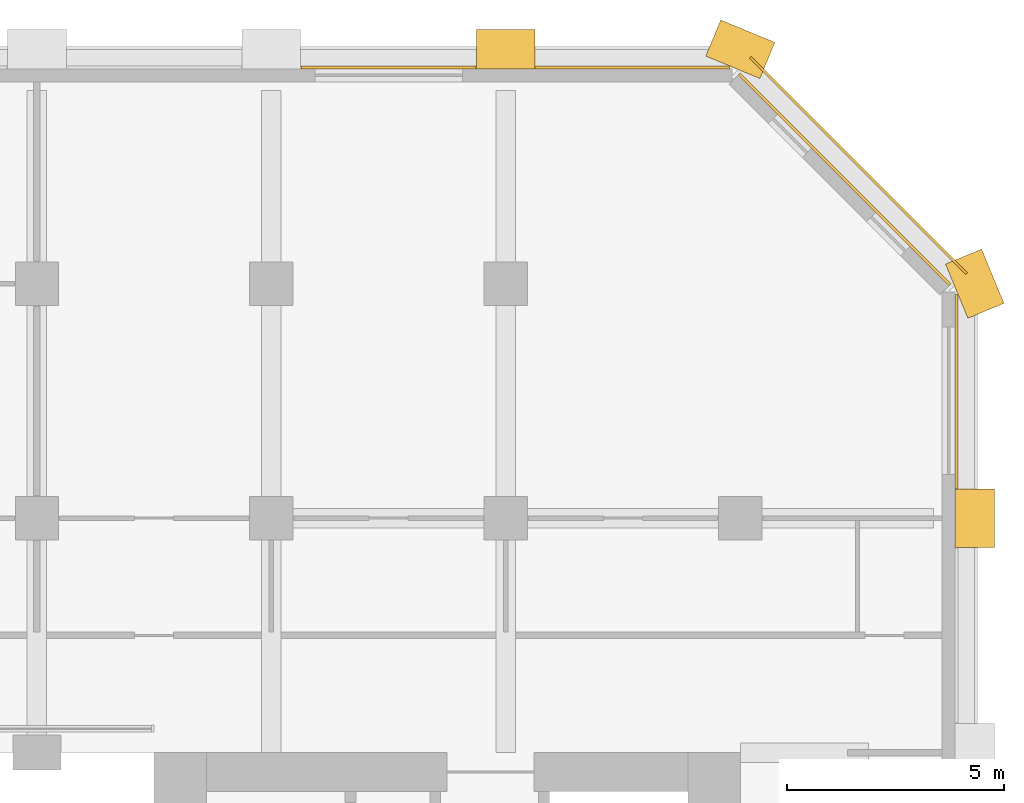
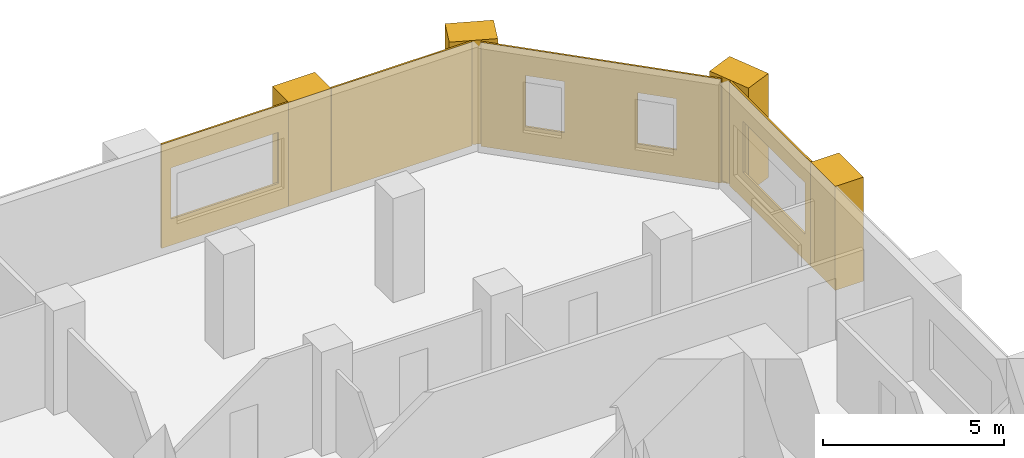
# One storey, part 11 of 11: 9 coverings.
"""IFC4 building model written with IfcOpenShell, lengths in metres."""

from ifc_helpers import new_model, si_unit, direction, frame, frame_2d, origin, place, context, subcontext, project, spatial, polyline, rectangle, outline, extrude, material, layer, layer_set, type_object, element, save


model = new_model("IFC4")

# Units and contexts
model_context = context("Model", 3, precision=1e-05, world=origin(), true_north=direction((0.0, 1.0)))
body_context = subcontext(model_context, "Body", "Model", "MODEL_VIEW")
ifc_project = project(units=[si_unit("LENGTHUNIT", "METRE"), si_unit("AREAUNIT", "SQUARE_METRE"), si_unit("VOLUMEUNIT", "CUBIC_METRE"), si_unit("PLANEANGLEUNIT", "RADIAN"), si_unit("MASSUNIT", "GRAM", prefix="KILO")], contexts=[model_context])

# Site, building, storey
site_placement = place(None, origin())
site = spatial("IfcSite", under=ifc_project, at=site_placement, CompositionType="ELEMENT")
building_placement = place(site_placement, origin())
building = spatial("IfcBuilding", under=site, at=building_placement, Name="Tabaq Tower and Sports Hall", CompositionType="ELEMENT")
storey_placement = place(building_placement, frame((0.0, 0.0, 91.60009765625)))
storey = spatial("IfcBuildingStorey", under=building, at=storey_placement, Name="L21", CompositionType="ELEMENT", Elevation=91.60009765625)

# Coverings
ifc_material_1 = material(Name="Precast concrete C60/75", Category="concrete")
ifc_layer_1 = layer(ifc_material_1, 0.06005859375)
ifc_layer_set_1 = layer_set([ifc_layer_1], Name="Edge beam cladding 60")
covering_type_1 = type_object("IfcCoveringType", Name="Edge beam cladding 60", PredefinedType="CLADDING", material=ifc_layer_set_1)
covering_1_placement = place(storey_placement, frame((48.41015625, 43.432373046875, -0.300048828125), z_axis=(0.0, 0.0, 1.0), x_axis=(-0.707106781187, 0.707106781187, 0.0)))
element("IfcCovering", 1, at=covering_1_placement, inside=storey, type_object=covering_type_1, Name="Edge beam cladding L21 3", PredefinedType="CLADDING", context=body_context, shape_type="SweptSolid", body=[
    extrude(rectangle(XDim=7.03955078125, YDim=0.06005859375, at=frame_2d((3.519775390625, 0.0))), origin(), (0.0, 0.0, 1.0), 0.300048828125),
])
ifc_material_2 = material(Name="White precast concrete C60/75", Category="concrete")
covering_type_2 = type_object("IfcCoveringType", Name="Pier cladding hung 1350x900", PredefinedType="CLADDING", material=ifc_material_2)
for number, where, z_axis, x_axis, name in (
    (2, (38.47509765625, 48.60009765625, 0.0), (0.0, 0.0, 1.0), (-1.0, 0.0, 0.0), "Hung pier cladding 7/9"),
    (3, (43.82373046875, 48.341796875, 0.0), (0.0, 0.0, 1.0), (-0.923893411637, 0.382649923473, 0.0), "Hung pier cladding 8/9"),
    (4, (48.60009765625, 37.125, 0.0), (0.0, 0.0, 1.0), (0.0, 1.0, 0.0), "Hung pier cladding 9/7"),
    (5, (48.8583984375, 42.576416015625, 0.0), (0.0, 0.0, 1.0), (-0.382649923473, 0.923893411637, 0.0), "Hung pier cladding 9/8"),
):
    element("IfcCovering", number, at=place(storey_placement, frame(where, z_axis=z_axis, x_axis=x_axis)), inside=storey, type_object=covering_type_2, Name=name, PredefinedType="CLADDING", context=body_context, shape_type="SweptSolid", body=[
        extrude(rectangle(XDim=1.35009765625, YDim=0.89990234375, at=frame_2d((0.675048828125, 0.0))), origin(), (0.0, 0.0, 1.0), 3.5),
    ])
ifc_material_3 = material(Name="Precast concrete C60/75", Category="concrete")
ifc_layer_2 = layer(ifc_material_3, 0.06005859375)
ifc_layer_set_2 = layer_set([ifc_layer_2], Name="White precast cladding panel 60 C60/75")
covering_type_3 = type_object("IfcCoveringType", Name="White precast cladding panel 60 C60/75", PredefinedType="CLADDING", material=ifc_layer_set_2)
covering_2_placement = place(storey_placement, frame((48.179931640625, 38.485107421875, 0.0), z_axis=(0.0, 0.0, 1.0), x_axis=(0.0, 1.0, 0.0)))
element("IfcCovering", 6, at=covering_2_placement, inside=storey, type_object=covering_type_3, Name="White precast cladding panel L21 wall02 6", PredefinedType="CLADDING", context=body_context, shape_type="SweptSolid", body=[
    extrude(outline(polyline([(0.0, 0.0), (4.4716796875, 0.0), (4.4716796875, 3.5), (0.0, 3.5), (0.0, 0.0)]), holes=[polyline([(0.304931640625, 0.889892578125), (0.304931640625, 2.60986328125), (3.72509765625, 2.60986328125), (3.72509765625, 0.889892578125), (0.304931640625, 0.889892578125)])]), frame((0.0, 0.030029296875, 0.0), z_axis=(0.0, -1.0, 0.0), x_axis=(1.0, 0.0, 0.0)), (0.0, 0.0, 1.0), 0.06005859375),
])
covering_3_placement = place(storey_placement, frame((48.0283203125, 43.177734375, 0.0), z_axis=(0.0, 0.0, 1.0), x_axis=(-0.707106781187, 0.707106781187, 0.0)))
element("IfcCovering", 7, at=covering_3_placement, inside=storey, type_object=covering_type_3, Name="White precast cladding panel L21 wall03", PredefinedType="CLADDING", context=body_context, shape_type="SweptSolid", body=[
    extrude(outline(polyline([(0.0, 0.0), (6.85986328125, 0.0), (6.85986328125, 3.5), (0.0, 3.5), (0.0, 0.0)]), holes=[polyline([(1.269775390625, 2.60986328125), (2.389892578125, 2.60986328125), (2.389892578125, 0.889892578125), (1.269775390625, 0.889892578125), (1.269775390625, 2.60986328125)]), polyline([(4.4697265625, 2.60986328125), (5.58984375, 2.60986328125), (5.58984375, 0.889892578125), (4.4697265625, 0.889892578125), (4.4697265625, 2.60986328125)])]), frame((0.0, 0.030029296875, 0.0), z_axis=(0.0, -1.0, 0.0), x_axis=(1.0, 0.0, 0.0)), (0.0, 0.0, 1.0), 0.06005859375),
])
covering_4_placement = place(storey_placement, frame((42.956787109375, 48.179931640625, 0.0), z_axis=(0.0, 0.0, 1.0), x_axis=(-1.0, 0.0, 0.0)))
element("IfcCovering", 8, at=covering_4_placement, inside=storey, type_object=covering_type_3, Name="White precast cladding panel L21 wall04", PredefinedType="CLADDING", context=body_context, shape_type="SweptSolid", body=[
    extrude(rectangle(XDim=4.4716796875, YDim=0.06005859375, at=frame_2d((2.23583984375, 0.0))), origin(), (0.0, 0.0, 1.0), 3.5),
])
covering_5_placement = place(storey_placement, frame((37.114990234375, 48.179931640625, 0.0), z_axis=(0.0, 0.0, 1.0), x_axis=(-1.0, 0.0, 0.0)))
element("IfcCovering", 9, at=covering_5_placement, inside=storey, type_object=covering_type_3, Name="White precast cladding panel L21 wall04 2", PredefinedType="CLADDING", context=body_context, shape_type="SweptSolid", body=[
    extrude(outline(polyline([(0.0, 0.0), (4.030029296875, 0.0), (4.030029296875, 3.5), (0.0, 3.5), (0.0, 0.0)]), holes=[polyline([(0.304931640625, 0.889892578125), (0.304931640625, 2.60986328125), (3.72509765625, 2.60986328125), (3.72509765625, 0.889892578125), (0.304931640625, 0.889892578125)])]), frame((0.0, 0.030029296875, 0.0), z_axis=(0.0, -1.0, 0.0), x_axis=(1.0, 0.0, 0.0)), (0.0, 0.0, 1.0), 0.06005859375),
])

save(model, "model.ifc")
